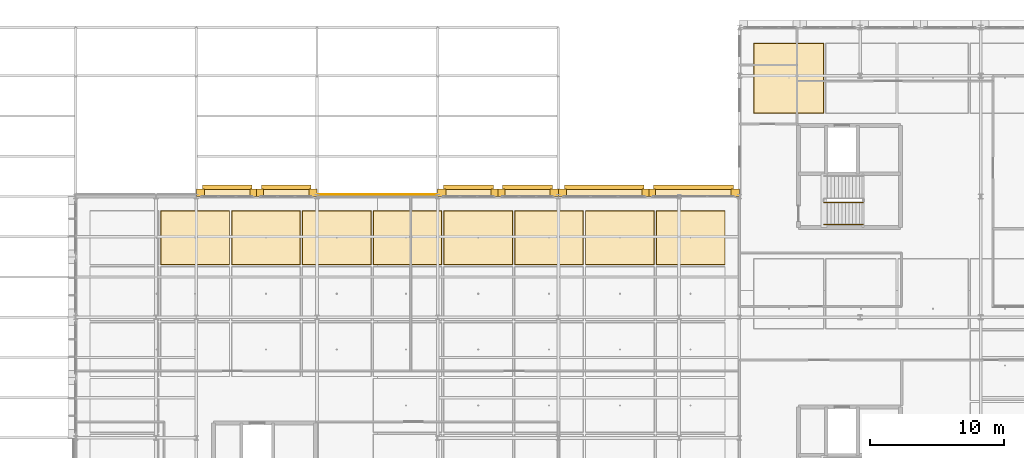
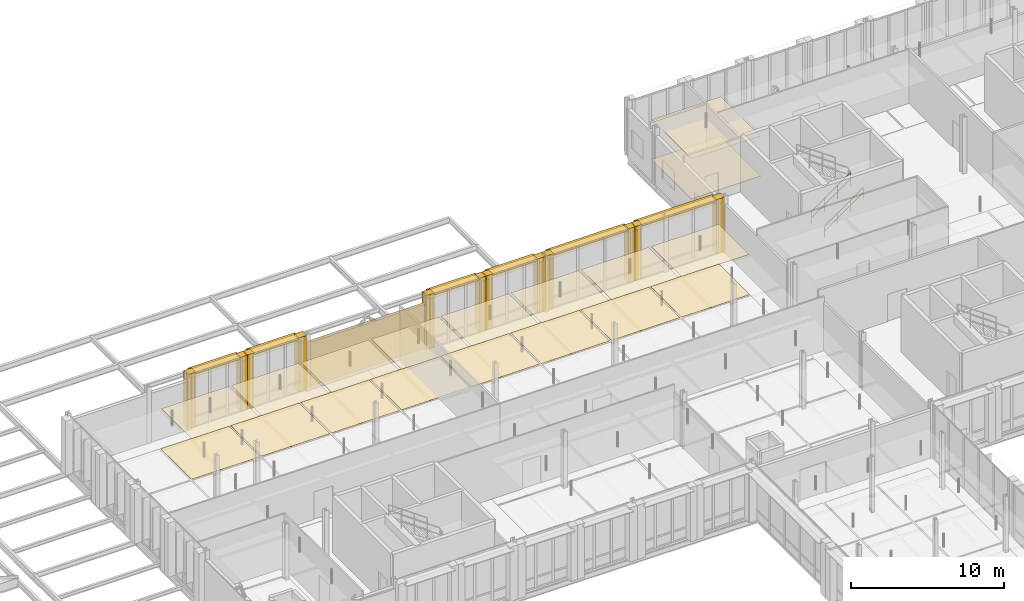
# One storey, part 137 of 140: 37 coverings, 6 shading devices, 2 railings.
"""IFC4 building model written with IfcOpenShell, lengths in metres."""

import ifcopenshell
import ifcopenshell.guid

model = None  # the IFC model being written
_history = None  # IfcOwnerHistory: only IFC2X3 demands one
_inside = {}  # id of a spatial element -> (the spatial element, [elements in it])
_under = {}  # id of a project, library or spatial element -> (it, [spatial elements below it])
_declared = {}  # id of a project -> (the project, [libraries it declares])
_typed = {}  # id of a type object -> (the type object, [elements of that type])
_made_of = {}  # id of a material, layer set ... -> (it, [elements and type objects made of it])


def new_model(schema):
    """Start an empty IFC model of exactly this schema.

    Asked for "IFC4X3", IfcOpenShell would pick the latest addendum, in which some entities
    have other attributes; the version numbers below select the first issue.
    IFC2X3 requires an IfcOwnerHistory on every rooted entity: one is made here for all.
    """
    global model, _history
    if schema == "IFC4X3":
        model = ifcopenshell.file(schema_version=(4, 3, 0, 0))
    else:
        model = ifcopenshell.file(schema=schema)
    _inside.clear()
    _under.clear()
    _declared.clear()
    _typed.clear()
    _made_of.clear()
    _history = None
    if model.schema == "IFC2X3":
        org = make("IfcOrganization", Name="unknown")
        user = make(
            "IfcPersonAndOrganization",
            ThePerson=make("IfcPerson", FamilyName="unknown"),
            TheOrganization=org,
        )
        app = make(
            "IfcApplication",
            ApplicationDeveloper=org,
            Version="unknown",
            ApplicationFullName="unknown",
            ApplicationIdentifier="unknown",
        )
        _history = make(
            "IfcOwnerHistory",
            OwningUser=user,
            OwningApplication=app,
            ChangeAction="ADDED",
            CreationDate=0,
        )
    return model


def make(cls, **values):
    """One entity of the class cls with the attributes given. An attribute that is None is left unset."""
    return model.create_entity(
        cls, **{name: value for name, value in values.items() if value is not None}
    )


def rooted(cls, **values):
    """An entity with a GlobalId (a new one), such as an element, a storey or a relation."""
    return make(cls, GlobalId=ifcopenshell.guid.new(), OwnerHistory=_history, **values)


def si_unit(unit_type, name, prefix=None):
    """IfcSIUnit, for example si_unit("LENGTHUNIT", "METRE", prefix="MILLI")."""
    return make("IfcSIUnit", UnitType=unit_type, Prefix=prefix, Name=name)


def assignment(units):
    """IfcUnitAssignment: the units of a project."""
    return None if units is None else make("IfcUnitAssignment", Units=units)


def point(xyz):
    """IfcCartesianPoint."""
    return None if xyz is None else make("IfcCartesianPoint", Coordinates=xyz)


def direction(xyz):
    """IfcDirection."""
    return None if xyz is None else make("IfcDirection", DirectionRatios=xyz)


def frame(location, z_axis=None, x_axis=None):
    """IfcAxis2Placement3D, a coordinate frame: its origin and axes. An axis left out is left unset."""
    return make(
        "IfcAxis2Placement3D",
        Location=point(location),
        Axis=direction(z_axis),
        RefDirection=direction(x_axis),
    )


def frame_2d(location, x_axis=None):
    """IfcAxis2Placement2D, a coordinate frame in the plane: its origin and x axis."""
    return make(
        "IfcAxis2Placement2D", Location=point(location), RefDirection=direction(x_axis)
    )


def origin():
    """The frame at (0, 0, 0) with its axes left unset."""
    return frame((0.0, 0.0, 0.0))


def origin_2d():
    """The frame at (0, 0) in the plane with its x axis left unset."""
    return frame_2d((0.0, 0.0))


def place(relative_to, where):
    """IfcLocalPlacement: puts the frame where relative to a parent placement (None: the world)."""
    return make(
        "IfcLocalPlacement", PlacementRelTo=relative_to, RelativePlacement=where
    )


def context(
    kind, dimensions, precision=None, world=None, true_north=None, identifier=None
):
    """IfcGeometricRepresentationContext, for example the 3D "Model" context."""
    return make(
        "IfcGeometricRepresentationContext",
        ContextIdentifier=identifier,
        ContextType=kind,
        CoordinateSpaceDimension=dimensions,
        Precision=precision,
        WorldCoordinateSystem=world,
        TrueNorth=true_north,
    )


def subcontext(parent, identifier, kind, view, scale=None):
    """IfcGeometricRepresentationSubContext, for example "Body" below "Model"."""
    return make(
        "IfcGeometricRepresentationSubContext",
        ContextIdentifier=identifier,
        ContextType=kind,
        ParentContext=parent,
        TargetScale=scale,
        TargetView=view,
    )


def project(units=None, contexts=None):
    """IfcProject with its units and contexts."""
    return rooted(
        "IfcProject",
        Name="project",
        RepresentationContexts=contexts,
        UnitsInContext=assignment(units),
    )


def spatial(cls, under=None, at=None, **own):
    """A site, building, storey or space (cls), placed at a placement, below another one or the project."""
    s = rooted(cls, ObjectPlacement=at, **own)
    if under is not None:
        _under.setdefault(under.id(), (under, []))[1].append(s)
    return s


def profile(cls, at=None, kind="AREA", **sizes):
    """A parametric profile (cls). Its sizes go by their IFC names, for example OverallWidth=200.0."""
    return make(cls, ProfileType=kind, Position=at, **sizes)


def rectangle(**sizes):
    """IfcRectangleProfileDef."""
    return profile("IfcRectangleProfileDef", **sizes)


def circle(**sizes):
    """IfcCircleProfileDef."""
    return profile("IfcCircleProfileDef", **sizes)


def extrude(swept, where, along, depth):
    """IfcExtrudedAreaSolid: the profile swept, set in the frame where, extruded along a direction by depth."""
    return make(
        "IfcExtrudedAreaSolid",
        SweptArea=swept,
        Position=where,
        ExtrudedDirection=direction(along),
        Depth=depth,
    )


def shape(context_of_items, identifier, shape_type, items):
    """IfcShapeRepresentation: the items that make up one representation, for example the "Body"."""
    return make(
        "IfcShapeRepresentation",
        ContextOfItems=context_of_items,
        RepresentationIdentifier=identifier,
        RepresentationType=shape_type,
        Items=items,
    )


def material(Name=None, Category=None):
    """IfcMaterial."""
    return make("IfcMaterial", Name=Name, Category=Category)


def layer(
    of_material, thickness, ventilated=None, Name=None, Category=None, Priority=None
):
    """IfcMaterialLayer: one layer of a wall or slab, of a material (None: an air gap)."""
    return make(
        "IfcMaterialLayer",
        Material=of_material,
        LayerThickness=thickness,
        IsVentilated=ventilated,
        Name=Name,
        Category=Category,
        Priority=Priority,
    )


def layer_set(layers, Name=None):
    """IfcMaterialLayerSet."""
    return make("IfcMaterialLayerSet", MaterialLayers=layers, LayerSetName=Name)


def made_of(thing, what):
    """Note that an element or type object is made of a material, layer set ...; save() writes the relation."""
    if what is not None:
        _made_of.setdefault(what.id(), (what, []))[1].append(thing)
    return thing


def type_object(cls, material=None, **own):
    """A type object (cls), such as IfcWallType, which elements share."""
    return made_of(rooted(cls, **own), material)


def element(
    cls,
    number,
    at=None,
    inside=None,
    cuts=None,
    type_object=None,
    material=None,
    context=None,
    identifier="Body",
    shape_type=None,
    held_by="IfcProductDefinitionShape",
    body=None,
    shapes=None,
    **own,
):
    """One element of the class cls, such as IfcWall. Its Tag is "e" and its number.

    at: its placement. inside: the storey or other place that contains it. cuts: it is an
    opening in that element (IfcRelVoidsElement). A single representation is given by context,
    identifier, shape_type and body (its items); several are given by shapes. held_by: the class
    of the entity that holds the representations. save() writes the other relations.
    """
    e = rooted(cls, Tag="e%d" % number, ObjectPlacement=at, **own)
    if body is not None:
        shapes = [shape(context, identifier, shape_type, body)]
    if shapes is not None:
        e.Representation = make(held_by, Representations=shapes)
    if inside is not None:
        _inside.setdefault(inside.id(), (inside, []))[1].append(e)
    if cuts is not None:
        rooted(
            "IfcRelVoidsElement", RelatingBuildingElement=cuts, RelatedOpeningElement=e
        )
    if type_object is not None:
        _typed.setdefault(type_object.id(), (type_object, []))[1].append(e)
    return made_of(e, material)


def aggregate(whole, parts):
    """IfcRelAggregates: a whole, such as a stair, and the parts it consists of."""
    return rooted("IfcRelAggregates", RelatingObject=whole, RelatedObjects=parts)


def save(model, path):
    """Write the relations noted so far, then the file.

    IfcRelAggregates (storeys below a building ...), IfcRelContainedInSpatialStructure (elements
    in a storey), IfcRelDefinesByType, IfcRelAssociatesMaterial and IfcRelDeclares: one each for
    every whole, place, type object, material and project.
    """
    for whole, parts in _under.values():
        aggregate(whole, parts)
    for where, things in _inside.values():
        rooted(
            "IfcRelContainedInSpatialStructure",
            RelatedElements=things,
            RelatingStructure=where,
        )
    for kind, things in _typed.values():
        rooted("IfcRelDefinesByType", RelatedObjects=things, RelatingType=kind)
    for what, things in _made_of.values():
        rooted("IfcRelAssociatesMaterial", RelatedObjects=things, RelatingMaterial=what)
    for by, libraries in _declared.values():
        rooted("IfcRelDeclares", RelatingContext=by, RelatedDefinitions=libraries)
    model.write(path)


model = new_model("IFC4")

# Units and contexts
model_context = context("Model", 3, precision=1e-05, world=origin(), true_north=direction((0.0, 1.0)))
body_context = subcontext(model_context, "Body", "Model", "MODEL_VIEW")
ifc_project = project(units=[si_unit("LENGTHUNIT", "METRE"), si_unit("AREAUNIT", "SQUARE_METRE"), si_unit("VOLUMEUNIT", "CUBIC_METRE"), si_unit("PLANEANGLEUNIT", "RADIAN"), si_unit("MASSUNIT", "GRAM", prefix="KILO"), si_unit("THERMODYNAMICTEMPERATUREUNIT", "KELVIN"), si_unit("POWERUNIT", "WATT")], contexts=[model_context])

# Site, building, storey
site_placement = place(None, origin())
site = spatial("IfcSite", under=ifc_project, at=site_placement, CompositionType="ELEMENT")
building_placement = place(site_placement, origin())
building = spatial("IfcBuilding", under=site, at=building_placement, Name="Tallowbark Science Centre", CompositionType="ELEMENT")
storey_placement = place(building_placement, frame((0.0, 0.0, 9.89990234375)))
storey = spatial("IfcBuildingStorey", under=building, at=storey_placement, Name="L02", CompositionType="ELEMENT", Elevation=9.89990234375)

# Coverings
ifc_material_1 = material(Name="Mineral-Fibre Acoustic Ceiling Tile Grid")
ifc_layer_1 = layer(ifc_material_1, 0.01806640625)
ifc_layer_set_1 = layer_set([ifc_layer_1], Name="Mineral-Fibre Acoustic Ceiling Tile Grid")
covering_type_1 = type_object("IfcCoveringType", Name="CLG-ACT-18", PredefinedType="CEILING", material=ifc_layer_set_1)
covering_1_placement = place(storey_placement, frame((116.1875, 107.8212890625, 3.191162109375), z_axis=(0.0, 0.0, 1.0), x_axis=(1.0, 0.0, 0.0)))
element("IfcCovering", 1, at=covering_1_placement, inside=storey, type_object=covering_type_1, Name="Suspended Ceiling L02-912", PredefinedType="CEILING", context=body_context, shape_type="SweptSolid", body=[
    extrude(rectangle(XDim=5.195068359375, YDim=5.177001953125, at=origin_2d()), origin(), (0.0, 0.0, 1.0), 0.01806640625),
])
ifc_material_2 = material(Name="Cleanable Vinyl-Faced Laboratory Ceiling Tile")
ifc_layer_2 = layer(ifc_material_2, 0.01611328125)
ifc_layer_set_2 = layer_set([ifc_layer_2], Name="Cleanable Vinyl-Faced Laboratory Ceiling Tile")
covering_type_2 = type_object("IfcCoveringType", Name="CLG-LAB-16", PredefinedType="CEILING", material=ifc_layer_set_2)
for number, where, z_axis, x_axis, name in (
    (2, (71.916748046875, 95.916748046875, 3.192138671875), (0.0, 0.0, 1.0), (1.0, 0.0, 0.0), "Suspended Ceiling L02-874"),
    (3, (77.1943359375, 95.916748046875, 3.192138671875), (0.0, 0.0, 1.0), (1.0, 0.0, 0.0), "Suspended Ceiling L02-877"),
    (4, (82.47216796875, 95.916748046875, 3.192138671875), (0.0, 0.0, 1.0), (1.0, 0.0, 0.0), "Suspended Ceiling L02-880"),
    (5, (87.75, 95.916748046875, 3.192138671875), (0.0, 0.0, 1.0), (1.0, 0.0, 0.0), "Suspended Ceiling L02-886"),
    (6, (93.02783203125, 95.916748046875, 3.192138671875), (0.0, 0.0, 1.0), (1.0, 0.0, 0.0), "Suspended Ceiling L02-892"),
    (7, (98.3056640625, 95.916748046875, 3.192138671875), (0.0, 0.0, 1.0), (1.0, 0.0, 0.0), "Suspended Ceiling L02-898"),
    (8, (103.583251953125, 95.916748046875, 3.192138671875), (0.0, 0.0, 1.0), (1.0, 0.0, 0.0), "Suspended Ceiling L02-904"),
    (9, (108.861083984375, 95.916748046875, 3.192138671875), (0.0, 0.0, 1.0), (1.0, 0.0, 0.0), "Suspended Ceiling L02-910"),
):
    element("IfcCovering", number, at=place(storey_placement, frame(where, z_axis=z_axis, x_axis=x_axis)), inside=storey, type_object=covering_type_2, Name=name, PredefinedType="CEILING", context=body_context, shape_type="SweptSolid", body=[
        extrude(rectangle(XDim=5.097900390625, YDim=3.98681640625, at=origin_2d()), origin(), (0.0, 0.0, 1.0), 0.01611328125),
    ])
ifc_material_3 = material(Name="White Architectural Precast Concrete Grade N40 (40 MPa)", Category="concrete")
ifc_layer_3 = layer(ifc_material_3, 0.1201171875)
ifc_layer_set_3 = layer_set([ifc_layer_3], Name="White Architectural Precast Concrete Grade N40 (40 MPa)")
covering_type_3 = type_object("IfcCoveringType", Name="COV-PRC-CLAD", PredefinedType="CLADDING", material=ifc_layer_set_3)
covering_2_placement = place(storey_placement, frame((80.695068359375, 99.280029296875, 0.0), z_axis=(0.0, 0.0, 1.0), x_axis=(-1.0, 0.0, 0.0)))
element("IfcCovering", 10, at=covering_2_placement, inside=storey, type_object=covering_type_3, Name="Postmodern Deep Precast Pier CW-L02-070-1", PredefinedType="CLADDING", context=body_context, shape_type="SweptSolid", body=[
    extrude(rectangle(XDim=0.610107421875, YDim=0.56005859375, at=origin_2d()), origin(), (0.0, 0.0, 1.0), 4.320068359375),
])
for number, where, z_axis, x_axis, name in (
    (11, (76.7548828125, 99.280029296875, 0.0), (0.0, 0.0, 1.0), (-1.0, 0.0, 0.0), "Postmodern Deep Precast Pier CW-L02-070-2"),
    (12, (76.2451171875, 99.280029296875, 0.0), (0.0, 0.0, 1.0), (-1.0, 0.0, 0.0), "Postmodern Deep Precast Pier CW-L02-071-1"),
):
    element("IfcCovering", number, at=place(storey_placement, frame(where, z_axis=z_axis, x_axis=x_axis)), inside=storey, type_object=covering_type_3, Name=name, PredefinedType="CLADDING", context=body_context, shape_type="SweptSolid", body=[
        extrude(rectangle(XDim=0.510009765625, YDim=0.56005859375, at=origin_2d()), origin(), (0.0, 0.0, 1.0), 4.320068359375),
    ])
for number, where, z_axis, x_axis, name in (
    (13, (72.304931640625, 99.280029296875, 0.0), (0.0, 0.0, 1.0), (-1.0, 0.0, 0.0), "Postmodern Deep Precast Pier CW-L02-071-2"),
    (14, (98.695068359375, 99.280029296875, 0.0), (0.0, 0.0, 1.0), (-1.0, 0.0, 0.0), "Postmodern Deep Precast Pier CW-L02-072-1"),
):
    element("IfcCovering", number, at=place(storey_placement, frame(where, z_axis=z_axis, x_axis=x_axis)), inside=storey, type_object=covering_type_3, Name=name, PredefinedType="CLADDING", context=body_context, shape_type="SweptSolid", body=[
        extrude(rectangle(XDim=0.610107421875, YDim=0.56005859375, at=origin_2d()), origin(), (0.0, 0.0, 1.0), 4.320068359375),
    ])
for number, where, z_axis, x_axis, name in (
    (15, (94.7548828125, 99.280029296875, 0.0), (0.0, 0.0, 1.0), (-1.0, 0.0, 0.0), "Postmodern Deep Precast Pier CW-L02-072-2"),
    (16, (94.2451171875, 99.280029296875, 0.0), (0.0, 0.0, 1.0), (-1.0, 0.0, 0.0), "Postmodern Deep Precast Pier CW-L02-073-1"),
):
    element("IfcCovering", number, at=place(storey_placement, frame(where, z_axis=z_axis, x_axis=x_axis)), inside=storey, type_object=covering_type_3, Name=name, PredefinedType="CLADDING", context=body_context, shape_type="SweptSolid", body=[
        extrude(rectangle(XDim=0.510009765625, YDim=0.56005859375, at=origin_2d()), origin(), (0.0, 0.0, 1.0), 4.320068359375),
    ])
for number, where, z_axis, x_axis, name in (
    (17, (90.304931640625, 99.280029296875, 0.0), (0.0, 0.0, 1.0), (-1.0, 0.0, 0.0), "Postmodern Deep Precast Pier CW-L02-073-2"),
    (18, (112.195068359375, 99.280029296875, 0.0), (0.0, 0.0, 1.0), (-1.0, 0.0, 0.0), "Postmodern Deep Precast Pier CW-L02-074-1"),
):
    element("IfcCovering", number, at=place(storey_placement, frame(where, z_axis=z_axis, x_axis=x_axis)), inside=storey, type_object=covering_type_3, Name=name, PredefinedType="CLADDING", context=body_context, shape_type="SweptSolid", body=[
        extrude(rectangle(XDim=0.610107421875, YDim=0.56005859375, at=origin_2d()), origin(), (0.0, 0.0, 1.0), 4.320068359375),
    ])
for number, where, z_axis, x_axis, name in (
    (19, (106.0048828125, 99.280029296875, 0.0), (0.0, 0.0, 1.0), (-1.0, 0.0, 0.0), "Postmodern Deep Precast Pier CW-L02-074-2"),
    (20, (105.4951171875, 99.280029296875, 0.0), (0.0, 0.0, 1.0), (-1.0, 0.0, 0.0), "Postmodern Deep Precast Pier CW-L02-075-1"),
):
    element("IfcCovering", number, at=place(storey_placement, frame(where, z_axis=z_axis, x_axis=x_axis)), inside=storey, type_object=covering_type_3, Name=name, PredefinedType="CLADDING", context=body_context, shape_type="SweptSolid", body=[
        extrude(rectangle(XDim=0.510009765625, YDim=0.56005859375, at=origin_2d()), origin(), (0.0, 0.0, 1.0), 4.320068359375),
    ])
covering_3_placement = place(storey_placement, frame((99.304931640625, 99.280029296875, 0.0), z_axis=(0.0, 0.0, 1.0), x_axis=(-1.0, 0.0, 0.0)))
element("IfcCovering", 21, at=covering_3_placement, inside=storey, type_object=covering_type_3, Name="Postmodern Deep Precast Pier CW-L02-075-2", PredefinedType="CLADDING", context=body_context, shape_type="SweptSolid", body=[
    extrude(rectangle(XDim=0.610107421875, YDim=0.56005859375, at=origin_2d()), origin(), (0.0, 0.0, 1.0), 4.320068359375),
])
ifc_material_4 = material(Name="Vitrified Ochre Terracotta Architectural Rainscreen", Category="masonry")
ifc_layer_4 = layer(ifc_material_4, 0.0380859375)
ifc_layer_set_4 = layer_set([ifc_layer_4], Name="Vitrified Ochre Terracotta Architectural Rainscreen")
covering_type_4 = type_object("IfcCoveringType", Name="COV-TER-CLAD", PredefinedType="CLADDING", material=ifc_layer_set_4)
for number, where, z_axis, x_axis, name in (
    (22, (78.699951171875, 99.260009765625, 3.97021484375), (0.0, 0.0, 1.0), (-1.0, 0.0, 0.0), "Postmodern Terracotta Cornice Band CW-L02-070"),
    (23, (74.300048828125, 99.260009765625, 3.97021484375), (0.0, 0.0, 1.0), (-1.0, 0.0, 0.0), "Postmodern Terracotta Cornice Band CW-L02-071"),
):
    element("IfcCovering", number, at=place(storey_placement, frame(where, z_axis=z_axis, x_axis=x_axis)), inside=storey, type_object=covering_type_4, Name=name, PredefinedType="CLADDING", context=body_context, shape_type="SweptSolid", body=[
        extrude(rectangle(XDim=4.300048828125, YDim=0.52001953125, at=origin_2d()), origin(), (0.0, 0.0, 1.0), 0.340087890625),
    ])
covering_4_placement = place(storey_placement, frame((85.5, 99.14404296875, 0.050048828125), z_axis=(0.0, 0.0, 1.0), x_axis=(-1.0, 0.0, 0.0)))
element("IfcCovering", 24, at=covering_4_placement, inside=storey, type_object=covering_type_4, Name="Architectural Rainscreen LAB-N-L02-81", PredefinedType="CLADDING", context=body_context, shape_type="SweptSolid", body=[
    extrude(rectangle(XDim=8.8798828125, YDim=0.0380859375, at=origin_2d()), origin(), (0.0, 0.0, 1.0), 3.6669921875),
])
for number, where, z_axis, x_axis, name in (
    (25, (96.699951171875, 99.260009765625, 3.97021484375), (0.0, 0.0, 1.0), (-1.0, 0.0, 0.0), "Postmodern Terracotta Cornice Band CW-L02-072"),
    (26, (92.300048828125, 99.260009765625, 3.97021484375), (0.0, 0.0, 1.0), (-1.0, 0.0, 0.0), "Postmodern Terracotta Cornice Band CW-L02-073"),
):
    element("IfcCovering", number, at=place(storey_placement, frame(where, z_axis=z_axis, x_axis=x_axis)), inside=storey, type_object=covering_type_4, Name=name, PredefinedType="CLADDING", context=body_context, shape_type="SweptSolid", body=[
        extrude(rectangle(XDim=4.300048828125, YDim=0.52001953125, at=origin_2d()), origin(), (0.0, 0.0, 1.0), 0.340087890625),
    ])
for number, where, z_axis, x_axis, name in (
    (27, (109.074951171875, 99.260009765625, 3.97021484375), (0.0, 0.0, 1.0), (-1.0, 0.0, 0.0), "Postmodern Terracotta Cornice Band CW-L02-074"),
    (28, (102.425048828125, 99.260009765625, 3.97021484375), (0.0, 0.0, 1.0), (-1.0, 0.0, 0.0), "Postmodern Terracotta Cornice Band CW-L02-075"),
):
    element("IfcCovering", number, at=place(storey_placement, frame(where, z_axis=z_axis, x_axis=x_axis)), inside=storey, type_object=covering_type_4, Name=name, PredefinedType="CLADDING", context=body_context, shape_type="SweptSolid", body=[
        extrude(rectangle(XDim=6.550048828125, YDim=0.52001953125, at=origin_2d()), origin(), (0.0, 0.0, 1.0), 0.340087890625),
    ])
ifc_material_5 = material(Name="Engineered Blackbutt Gallery Timber Flooring", Category="wood")
ifc_layer_5 = layer(ifc_material_5, 0.02197265625)
ifc_layer_set_5 = layer_set([ifc_layer_5], Name="Engineered Blackbutt Gallery Timber Flooring")
covering_type_5 = type_object("IfcCoveringType", Name="FLR-TIM-22", PredefinedType="FLOORING", material=ifc_layer_set_5)
covering_5_placement = place(storey_placement, frame((116.1875, 107.8212890625, 0.0), z_axis=(0.0, 0.0, 1.0), x_axis=(1.0, 0.0, 0.0)))
element("IfcCovering", 29, at=covering_5_placement, inside=storey, type_object=covering_type_5, Name="Floor Finish L02-912", PredefinedType="FLOORING", context=body_context, shape_type="SweptSolid", body=[
    extrude(rectangle(XDim=5.2548828125, YDim=5.237060546875, at=origin_2d()), origin(), (0.0, 0.0, 1.0), 0.02197265625),
])
ifc_material_6 = material(Name="Chemical-Resistant Seamless Laboratory Vinyl")
ifc_layer_6 = layer(ifc_material_6, 0.011962890625)
ifc_layer_set_6 = layer_set([ifc_layer_6], Name="Chemical-Resistant Seamless Laboratory Vinyl")
covering_type_6 = type_object("IfcCoveringType", Name="FLR-VIN-12", PredefinedType="FLOORING", material=ifc_layer_set_6)
for number, where, z_axis, x_axis, name in (
    (30, (71.916748046875, 95.916748046875, 0.0), (0.0, 0.0, 1.0), (1.0, 0.0, 0.0), "Floor Finish L02-874"),
    (31, (77.1943359375, 95.916748046875, 0.0), (0.0, 0.0, 1.0), (1.0, 0.0, 0.0), "Floor Finish L02-877"),
    (32, (82.47216796875, 95.916748046875, 0.0), (0.0, 0.0, 1.0), (1.0, 0.0, 0.0), "Floor Finish L02-880"),
    (33, (87.75, 95.916748046875, 0.0), (0.0, 0.0, 1.0), (1.0, 0.0, 0.0), "Floor Finish L02-886"),
    (34, (93.02783203125, 95.916748046875, 0.0), (0.0, 0.0, 1.0), (1.0, 0.0, 0.0), "Floor Finish L02-892"),
    (35, (98.3056640625, 95.916748046875, 0.0), (0.0, 0.0, 1.0), (1.0, 0.0, 0.0), "Floor Finish L02-898"),
    (36, (103.583251953125, 95.916748046875, 0.0), (0.0, 0.0, 1.0), (1.0, 0.0, 0.0), "Floor Finish L02-904"),
    (37, (108.861083984375, 95.916748046875, 0.0), (0.0, 0.0, 1.0), (1.0, 0.0, 0.0), "Floor Finish L02-910"),
):
    element("IfcCovering", number, at=place(storey_placement, frame(where, z_axis=z_axis, x_axis=x_axis)), inside=storey, type_object=covering_type_6, Name=name, PredefinedType="FLOORING", context=body_context, shape_type="SweptSolid", body=[
        extrude(rectangle(XDim=5.15771484375, YDim=4.046630859375, at=origin_2d()), origin(), (0.0, 0.0, 1.0), 0.011962890625),
    ])

# Railings
ifc_material_7 = material(Name="Galvanised Painted Steel and Laminated Glass Balustrade", Category="steel")
ifc_layer_7 = layer(ifc_material_7, 0.070068359375)
ifc_layer_set_7 = layer_set([ifc_layer_7], Name="Galvanised Painted Steel and Laminated Glass Balustrade")
railing_type_1 = type_object("IfcRailingType", Name="RLG-BAL-1150", PredefinedType="BALUSTRADE", material=ifc_layer_set_7)
railing_1_placement = place(storey_placement, frame((118.81005859375, 98.56005859375, 0.1875)))
element("IfcRailing", 38, at=railing_1_placement, inside=storey, type_object=railing_type_1, Name="L02 ST-05 stair guard 1", PredefinedType="BALUSTRADE", context=body_context, shape_type="SweptSolid", body=[
    extrude(circle(Radius=0.02392578125, at=origin_2d()), frame((0.0, 0.0, 1.076171875), z_axis=(0.816330724661, 0.0, 0.577584753931), x_axis=(0.0, 1.0, 0.0)), (0.0, 0.0, 1.0), 3.57080078125),
    extrude(circle(Radius=0.02392578125, at=origin_2d()), frame((0.0, 0.0, 0.550048828125), z_axis=(0.816330724661, 0.0, 0.577584753931), x_axis=(0.0, 1.0, 0.0)), (0.0, 0.0, 1.0), 3.57080078125),
    extrude(circle(Radius=0.02099609375, at=origin_2d()), origin(), (0.0, 0.0, 1.0), 1.052001953125),
    extrude(circle(Radius=0.02099609375, at=origin_2d()), frame((0.9716796875, 0.0, 0.6875)), (0.0, 0.0, 1.0), 1.052001953125),
    extrude(circle(Radius=0.02099609375, at=origin_2d()), frame((1.943359375, 0.0, 1.375)), (0.0, 0.0, 1.0), 1.052001953125),
    extrude(circle(Radius=0.02099609375, at=origin_2d()), frame((2.9150390625, 0.0, 2.0625)), (0.0, 0.0, 1.0), 1.052001953125),
])
ifc_material_8 = material(Name="Brushed Grade 316 Stainless Steel Handrail", Category="steel")
ifc_layer_8 = layer(ifc_material_8, 0.050048828125)
ifc_layer_set_8 = layer_set([ifc_layer_8], Name="Brushed Grade 316 Stainless Steel Handrail")
railing_type_2 = type_object("IfcRailingType", Name="RLG-HDR-950", PredefinedType="HANDRAIL", material=ifc_layer_set_8)
railing_2_placement = place(storey_placement, frame((118.81005859375, 96.89990234375, 0.1875)))
element("IfcRailing", 39, at=railing_2_placement, inside=storey, type_object=railing_type_2, Name="L02 ST-05 stair handrail 1", PredefinedType="HANDRAIL", context=body_context, shape_type="SweptSolid", body=[
    extrude(circle(Radius=0.02392578125, at=origin_2d()), frame((0.0, 0.0, 0.8759765625), z_axis=(0.816330724661, 0.0, 0.577584753931), x_axis=(0.0, 1.0, 0.0)), (0.0, 0.0, 1.0), 3.57080078125),
    extrude(circle(Radius=0.02392578125, at=origin_2d()), frame((0.0, 0.0, 0.449951171875), z_axis=(0.816330724661, 0.0, 0.577584753931), x_axis=(0.0, 1.0, 0.0)), (0.0, 0.0, 1.0), 3.57080078125),
    extrude(circle(Radius=0.02099609375, at=origin_2d()), origin(), (0.0, 0.0, 1.0), 0.851806640625),
    extrude(circle(Radius=0.02099609375, at=origin_2d()), frame((0.9716796875, 0.0, 0.6875)), (0.0, 0.0, 1.0), 0.851806640625),
    extrude(circle(Radius=0.02099609375, at=origin_2d()), frame((1.943359375, 0.0, 1.375)), (0.0, 0.0, 1.0), 0.851806640625),
    extrude(circle(Radius=0.02099609375, at=origin_2d()), frame((2.9150390625, 0.0, 2.0625)), (0.0, 0.0, 1.0), 0.851806640625),
])

# Shading devices
ifc_material_9 = material(Name="Terracotta-Anodised Extruded Aluminium Sunshade Blade", Category="masonry")
ifc_layer_9 = layer(ifc_material_9, 0.054931640625)
ifc_layer_set_9 = layer_set([ifc_layer_9], Name="Terracotta-Anodised Extruded Aluminium Sunshade Blade")
shading_device_type = type_object("IfcShadingDeviceType", Name="SHD-LVR-300", PredefinedType="AWNING", material=ifc_layer_set_9)
for number, where, z_axis, x_axis, name in (
    (40, (78.699951171875, 99.419921875, 4.1328125), (0.0, 0.0, 1.0), (-1.0, 0.0, 0.0), "Horizontal Solar Louvre Hood CW-L02-070"),
    (41, (74.300048828125, 99.419921875, 4.1328125), (0.0, 0.0, 1.0), (-1.0, 0.0, 0.0), "Horizontal Solar Louvre Hood CW-L02-071"),
    (42, (96.699951171875, 99.419921875, 4.1328125), (0.0, 0.0, 1.0), (-1.0, 0.0, 0.0), "Horizontal Solar Louvre Hood CW-L02-072"),
    (43, (92.300048828125, 99.419921875, 4.1328125), (0.0, 0.0, 1.0), (-1.0, 0.0, 0.0), "Horizontal Solar Louvre Hood CW-L02-073"),
):
    element("IfcShadingDevice", number, at=place(storey_placement, frame(where, z_axis=z_axis, x_axis=x_axis)), inside=storey, type_object=shading_device_type, Name=name, PredefinedType="AWNING", context=body_context, shape_type="SweptSolid", body=[
        extrude(rectangle(XDim=3.699951171875, YDim=0.840087890625, at=origin_2d()), origin(), (0.0, 0.0, 1.0), 0.054931640625),
    ])
for number, where, z_axis, x_axis, name in (
    (44, (109.074951171875, 99.419921875, 4.1328125), (0.0, 0.0, 1.0), (-1.0, 0.0, 0.0), "Horizontal Solar Louvre Hood CW-L02-074"),
    (45, (102.425048828125, 99.419921875, 4.1328125), (0.0, 0.0, 1.0), (-1.0, 0.0, 0.0), "Horizontal Solar Louvre Hood CW-L02-075"),
):
    element("IfcShadingDevice", number, at=place(storey_placement, frame(where, z_axis=z_axis, x_axis=x_axis)), inside=storey, type_object=shading_device_type, Name=name, PredefinedType="AWNING", context=body_context, shape_type="SweptSolid", body=[
        extrude(rectangle(XDim=5.949951171875, YDim=0.840087890625, at=origin_2d()), origin(), (0.0, 0.0, 1.0), 0.054931640625),
    ])

save(model, "model.ifc")
